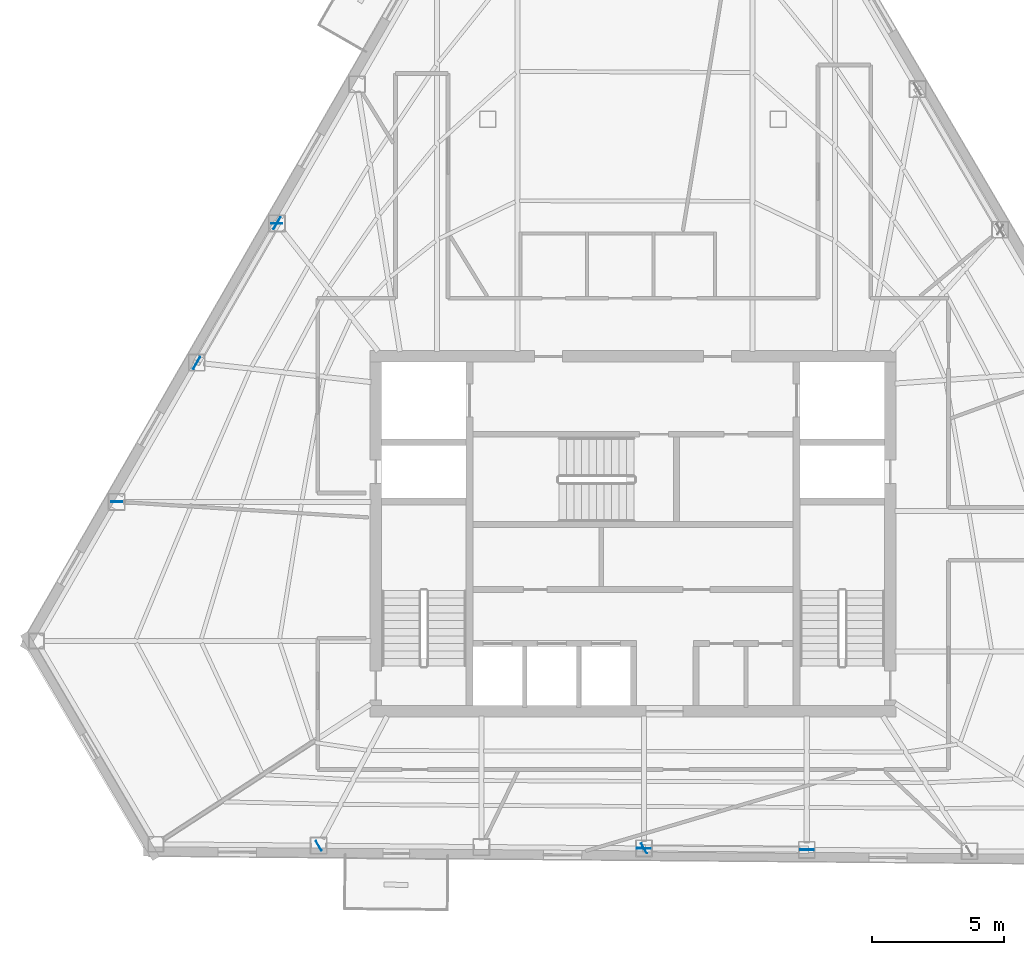
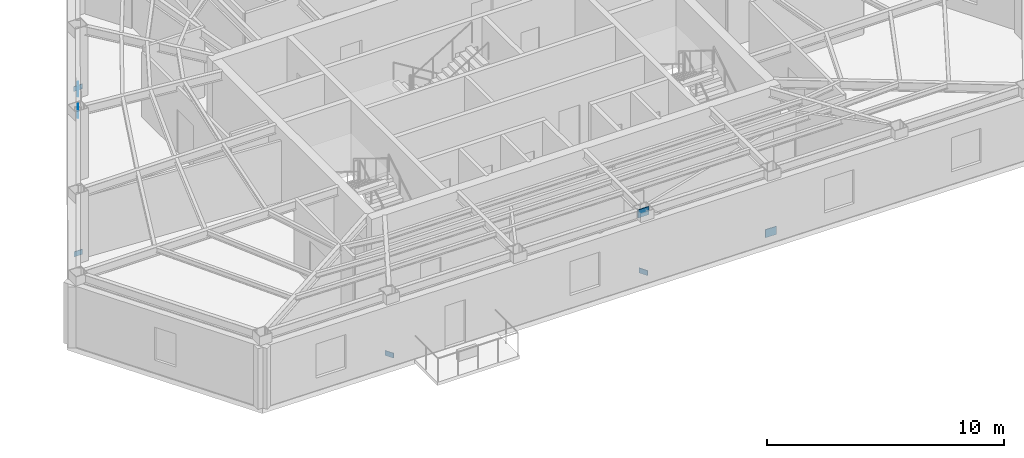
# One storey, part 4 of 12: 8 plates.
"""IFC4 building model written with IfcOpenShell, lengths in metres."""

from ifc_helpers import new_model, si_unit, direction, frame, origin, origin_2d, place, context, subcontext, project, spatial, rectangle, extrude, material, layer, layer_set, type_object, element, save


model = new_model("IFC4")

# Units and contexts
model_context = context("Model", 3, precision=1e-05, world=origin(), true_north=direction((0.0, 1.0)))
body_context = subcontext(model_context, "Body", "Model", "MODEL_VIEW")
ifc_project = project(units=[si_unit("LENGTHUNIT", "METRE"), si_unit("AREAUNIT", "SQUARE_METRE"), si_unit("VOLUMEUNIT", "CUBIC_METRE"), si_unit("PLANEANGLEUNIT", "RADIAN"), si_unit("MASSUNIT", "GRAM", prefix="KILO")], contexts=[model_context])

# Site, building, storey
site_placement = place(None, origin())
site = spatial("IfcSite", under=ifc_project, at=site_placement, CompositionType="ELEMENT")
building_placement = place(site_placement, origin())
building = spatial("IfcBuilding", under=site, at=building_placement, Name="Kavelnor Concourse Tower", CompositionType="ELEMENT")
storey_placement = place(building_placement, frame((0.0, 0.0, 191.949951171875)))
storey = spatial("IfcBuildingStorey", under=building, at=storey_placement, Name="L48", CompositionType="ELEMENT", Elevation=191.949951171875)

# Plates
ifc_material = material(Name="Steel Grade 350", Category="steel")
ifc_layer_1 = layer(ifc_material, 0.031982421875, Name="Steel Grade 350")
ifc_layer_set_1 = layer_set([ifc_layer_1], Name="Steel Grade 350")
plate_type_1 = type_object("IfcPlateType", Name="PL-GUSSET-TUBE-Z1", PredefinedType="USERDEFINED", material=ifc_layer_set_1)
for number, where, z_axis, x_axis, name in (
    (1, (24.521240234375, 27.86376953125, 0.010009765625), (0.0, 0.0, 1.0), (-0.498941577478, -0.866635622545, 0.0), "L48 Tube Brace Gusset GP3 F0-B3 End Gusset A"),
    (2, (21.47509765625, 22.572998046875, 3.16015625), (0.0, 0.0, 1.0), (-0.498941577478, -0.866635622545, 0.0), "L48 Tube Brace Gusset GP3 F0-B3 End Gusset B"),
    (3, (44.58984375, 4.13623046875, 0.010009765625), (0.0, 0.0, 1.0), (-0.999963430902, 0.008552009087, 0.0), "L48 Tube Brace Gusset GP3 F1-B3 End Gusset A"),
    (4, (38.404296875, 4.188720703125, 3.16015625), (0.0, 0.0, 1.0), (-0.999963430902, 0.008552009087, 0.0), "L48 Tube Brace Gusset GP3 F1-B3 End Gusset B"),
):
    element("IfcPlate", number, at=place(storey_placement, frame(where, z_axis=z_axis, x_axis=x_axis)), inside=storey, type_object=plate_type_1, Name=name, ObjectType="GUSSET_PLATE", PredefinedType="USERDEFINED", context=body_context, shape_type="SweptSolid", body=[
        extrude(rectangle(XDim=0.52001953125, YDim=0.031982421875, at=origin_2d()), origin(), (0.0, 0.0, 1.0), 0.419921875),
    ])
ifc_layer_2 = layer(ifc_material, 0.02490234375, Name="Steel Grade 350")
ifc_layer_set_2 = layer_set([ifc_layer_2], Name="Steel Grade 350")
plate_type_2 = type_object("IfcPlateType", Name="PL-SPLICE-FLANGE", PredefinedType="SHEET", material=ifc_layer_set_2)
for number, where, z_axis, x_axis, name in (
    (5, (24.51513671875, 27.853515625, 0.169921875), (0.0, 0.0, 1.0), (1.0, 0.0, 0.0), "L48 Column Flange Splice Plate F0-B3"),
    (6, (18.447021484375, 17.3134765625, 0.169921875), (0.0, 0.0, 1.0), (1.0, 0.0, 0.0), "L48 Column Flange Splice Plate F0-B5"),
    (7, (26.093505859375, 4.293701171875, 0.169921875), (0.0, 0.0, 1.0), (-0.5, 0.866025403784, 0.0), "L48 Column Flange Splice Plate F1-B1"),
    (8, (38.41650390625, 4.188720703125, 0.169921875), (0.0, 0.0, 1.0), (-0.5, 0.866025403784, 0.0), "L48 Column Flange Splice Plate F1-B3"),
):
    element("IfcPlate", number, at=place(storey_placement, frame(where, z_axis=z_axis, x_axis=x_axis)), inside=storey, type_object=plate_type_2, Name=name, PredefinedType="SHEET", context=body_context, shape_type="SweptSolid", body=[
        extrude(rectangle(XDim=0.419921875, YDim=0.02490234375, at=origin_2d()), origin(), (0.0, 0.0, 1.0), 0.260009765625),
    ])

save(model, "model.ifc")
